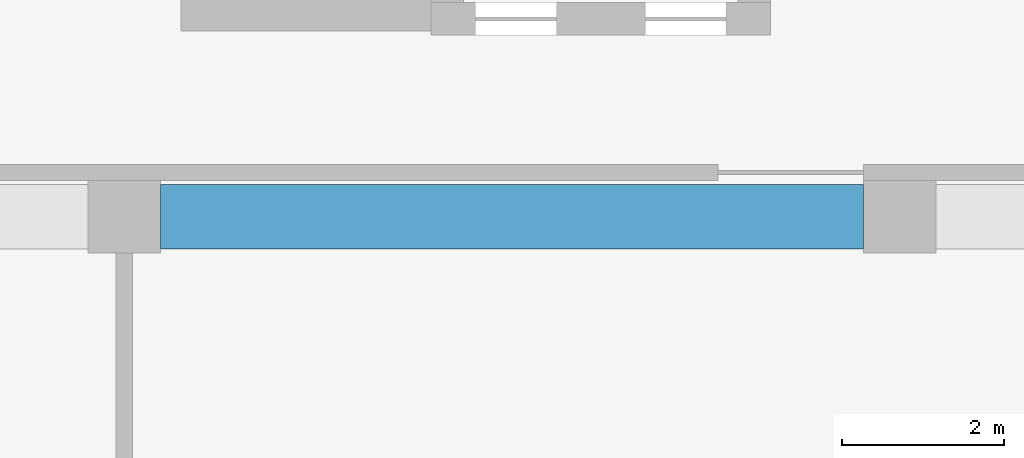
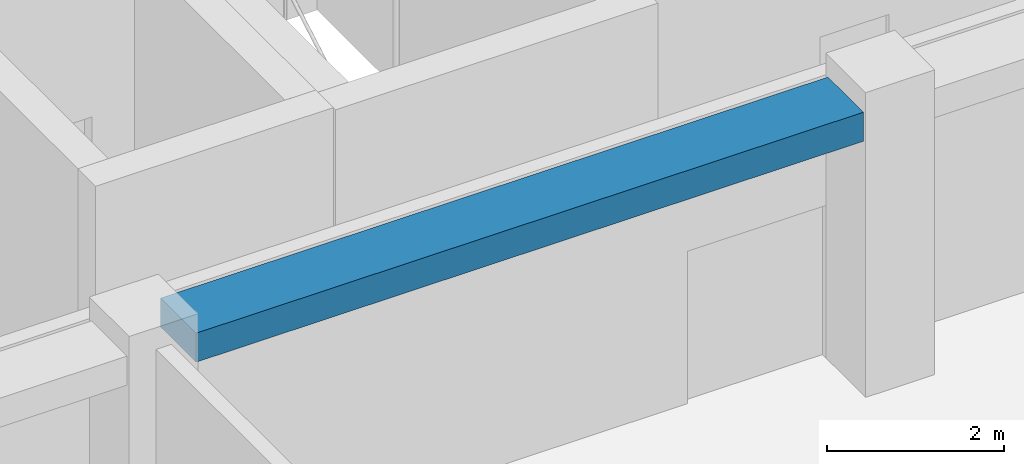
# One storey, part 5 of 37: 1 beam.
"""IFC4 building model written with IfcOpenShell, lengths in metres."""

from ifc_helpers import new_model, si_unit, direction, frame, origin, origin_2d, place, context, subcontext, project, spatial, rectangle, extrude, material, material_profile, profile_set, type_object, element, save


model = new_model("IFC4")

# Units and contexts
model_context = context("Model", 3, precision=1e-05, world=origin(), true_north=direction((0.0, 1.0)))
body_context = subcontext(model_context, "Body", "Model", "MODEL_VIEW")
ifc_project = project(units=[si_unit("LENGTHUNIT", "METRE"), si_unit("AREAUNIT", "SQUARE_METRE"), si_unit("VOLUMEUNIT", "CUBIC_METRE"), si_unit("PLANEANGLEUNIT", "RADIAN"), si_unit("MASSUNIT", "GRAM", prefix="KILO")], contexts=[model_context])

# Site, building, storey
site_placement = place(None, origin())
site = spatial("IfcSite", under=ifc_project, at=site_placement, CompositionType="ELEMENT")
building_placement = place(site_placement, origin())
building = spatial("IfcBuilding", under=site, at=building_placement, Name="Nzadi Deep Aquarium and Research Tower", CompositionType="ELEMENT")
storey_placement = place(building_placement, frame((0.0, 0.0, 57.10009765625)))
storey = spatial("IfcBuildingStorey", under=building, at=storey_placement, Name="L11", CompositionType="ELEMENT", Elevation=57.10009765625)

# Beam
ifc_material = material(Name="Concrete C35/45", Category="concrete")
ifc_material_profile = material_profile(ifc_material, rectangle(XDim=0.800048828125, YDim=0.39990234375, at=origin_2d()))
ifc_profile_set = profile_set([ifc_material_profile], Name="Concrete C35/45")
beam_type = type_object("IfcBeamType", Name="RC 800x400", PredefinedType="BEAM", material=ifc_profile_set)
beam_placement = place(storey_placement, frame((19.64990234375, 9.199951171875, 3.699951171875), z_axis=(1.0, 0.0, 0.0), x_axis=(0.0, 1.0, 0.0)))
element("IfcBeam", 1, at=beam_placement, inside=storey, type_object=beam_type, Name="B-Z1-L11-L2-3", PredefinedType="BEAM", context=body_context, shape_type="SweptSolid", body=[
    extrude(rectangle(XDim=0.800048828125, YDim=0.39990234375, at=origin_2d()), origin(), (0.0, 0.0, 1.0), 8.7001953125),
])

save(model, "model.ifc")
